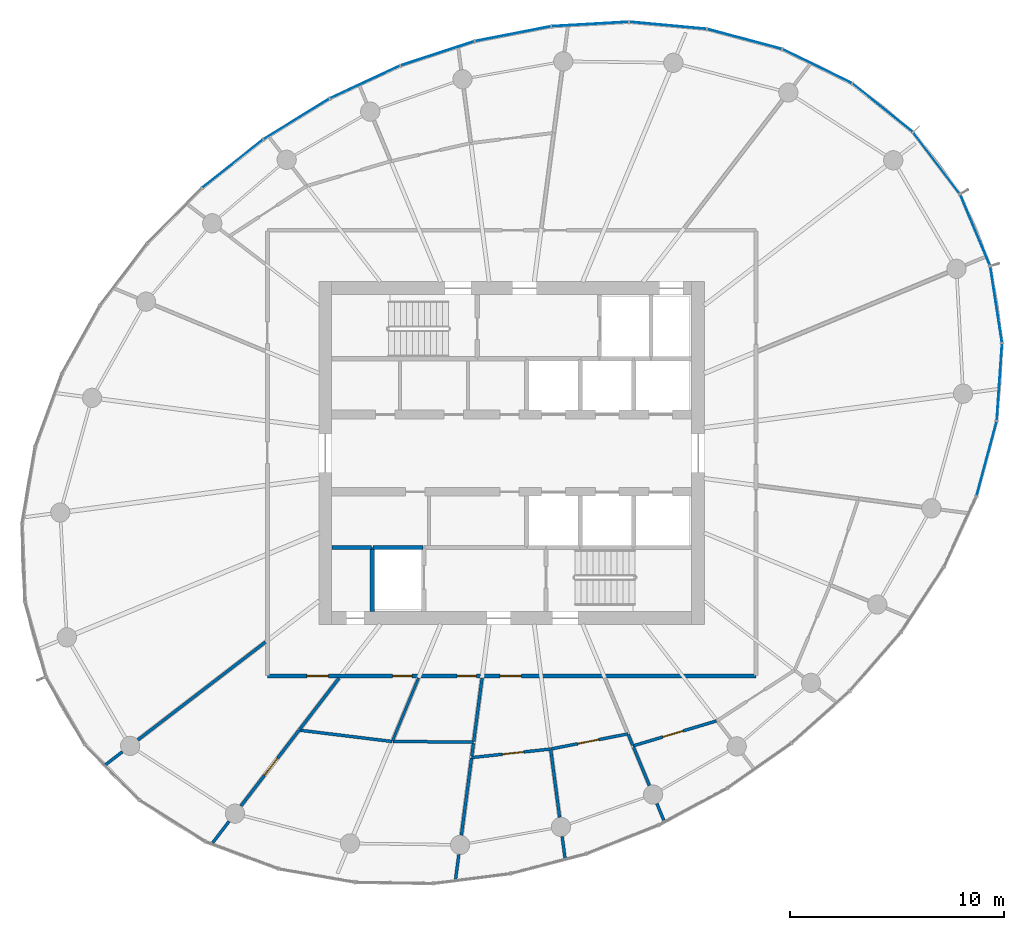
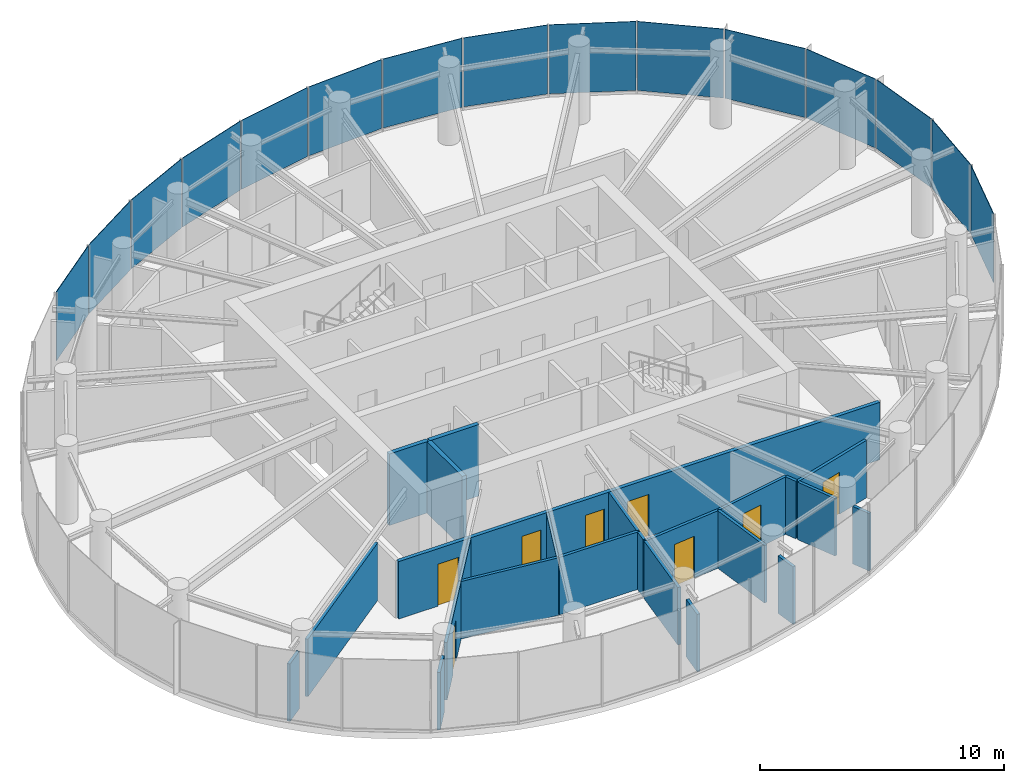
# One storey, part 9 of 14: 24 walls, 15 plates, 8 doors, 8 openings, 3 elements without a shape of their own.
"""IFC4 building model written with IfcOpenShell, lengths in metres."""

from ifc_helpers import new_model, si_unit, direction, frame, frame_2d, origin, origin_2d, place, context, subcontext, project, spatial, rectangle, extrude, source, transform, mapped, material, layer, layer_set, type_object, element, fill, aggregate, save


model = new_model("IFC4")

# Units and contexts
model_context = context("Model", 3, precision=1e-05, world=origin(), true_north=direction((0.0, 1.0)))
body_context = subcontext(model_context, "Body", "Model", "MODEL_VIEW")
ifc_project = project(units=[si_unit("LENGTHUNIT", "METRE"), si_unit("AREAUNIT", "SQUARE_METRE"), si_unit("VOLUMEUNIT", "CUBIC_METRE"), si_unit("PLANEANGLEUNIT", "RADIAN"), si_unit("MASSUNIT", "GRAM", prefix="KILO")], contexts=[model_context])

# Site, building, storey
site_placement = place(None, origin())
site = spatial("IfcSite", under=ifc_project, at=site_placement, CompositionType="ELEMENT")
building_placement = place(site_placement, origin())
building = spatial("IfcBuilding", under=site, at=building_placement, Name="Spindrift Exchange Tower", CompositionType="ELEMENT")
storey_placement = place(building_placement, frame((0.0, 0.0, 215.0)))
storey = spatial("IfcBuildingStorey", under=building, at=storey_placement, Name="L52", CompositionType="ELEMENT", Elevation=215.0)

# Curtain wall, plates
ifc_material_1 = material(Name="Fritted laminated glass with bronze frame", Category="glass")
ifc_layer_1 = layer(ifc_material_1, 0.169921875)
ifc_layer_set_1 = layer_set([ifc_layer_1], Name="ZONE 4 BRONZE FRITTED WALL")
curtain_wall_type = type_object("IfcCurtainWallType", Name="ZONE 4 BRONZE FRITTED WALL", PredefinedType="NOTDEFINED", material=ifc_layer_set_1)
curtain_wall_1_placement = place(storey_placement, origin())
curtain_wall_1 = element("IfcCurtainWall", 1, at=curtain_wall_1_placement, inside=storey, type_object=curtain_wall_type, Name="L52 Zone 4 Bronze Fritted Wall run 2", PredefinedType="NOTDEFINED")
ifc_material_2 = material(Name="Bronze fritted laminated glass, open frit", Category="glass")
ifc_layer_2 = layer(ifc_material_2, 0.030029296875)
ifc_layer_set_2 = layer_set([ifc_layer_2], Name="ZONE 4 BRONZE FRITTED WALL PANEL OPEN FRIT 600")
plate_type_1 = type_object("IfcPlateType", Name="ZONE 4 BRONZE FRITTED WALL PANEL OPEN FRIT 600", PredefinedType="CURTAIN_PANEL", material=ifc_layer_set_2)
shared_shape_1 = source(origin(), body_context, "Body", "SweptSolid", [
    extrude(rectangle(XDim=3.577392578125, YDim=0.030029296875, at=origin_2d()), origin(), (0.0, 0.0, 1.0), 3.455078125),
])
plate_1_placement = place(storey_placement, frame((52.056396484375, 67.5634765625, 0.125), z_axis=(0.0, 0.0, 1.0), x_axis=(-0.981562854025, -0.191139644234, 0.0)))
plate_1 = element("IfcPlate", 2, at=plate_1_placement, type_object=plate_type_1, Name="L52 panel CW-4.7", PredefinedType="CURTAIN_PANEL", context=body_context, shape_type="MappedRepresentation", body=[
    mapped(shared_shape_1, transform((0.0, 0.0, 0.0), scale=1.0)),
])
ifc_layer_3 = layer(ifc_material_2, 0.030029296875)
ifc_layer_set_3 = layer_set([ifc_layer_3], Name="ZONE 4 BRONZE FRITTED WALL PANEL OPEN FRIT 480")
plate_type_2 = type_object("IfcPlateType", Name="ZONE 4 BRONZE FRITTED WALL PANEL OPEN FRIT 480", PredefinedType="CURTAIN_PANEL", material=ifc_layer_set_3)
shared_shape_2 = source(origin(), body_context, "Body", "SweptSolid", [
    extrude(rectangle(XDim=3.577880859375, YDim=0.030029296875, at=origin_2d()), origin(), (0.0, 0.0, 1.0), 3.455078125),
])
plate_2_placement = place(storey_placement, frame((45.156982421875, 65.31005859375, 0.125), z_axis=(0.0, 0.0, 1.0), x_axis=(-0.906423557468, -0.422369902415, 0.0)))
plate_2 = element("IfcPlate", 3, at=plate_2_placement, type_object=plate_type_2, Name="L52 panel CW-4.9", PredefinedType="CURTAIN_PANEL", context=body_context, shape_type="MappedRepresentation", body=[
    mapped(shared_shape_2, transform((0.0, 0.0, 0.0), scale=1.0)),
])
shared_shape_3 = source(origin(), body_context, "Body", "SweptSolid", [
    extrude(rectangle(XDim=3.577880859375, YDim=0.030029296875, at=origin_2d()), origin(), (0.0, 0.0, 1.0), 3.455078125),
])
plate_3_placement = place(storey_placement, frame((41.95556640625, 63.584716796875, 0.125), z_axis=(0.0, 0.0, 1.0), x_axis=(-0.851222635484, -0.524804749254, 0.0)))
plate_3 = element("IfcPlate", 4, at=plate_3_placement, type_object=plate_type_1, Name="L52 panel CW-4.10", PredefinedType="CURTAIN_PANEL", context=body_context, shape_type="MappedRepresentation", body=[
    mapped(shared_shape_3, transform((0.0, 0.0, 0.0), scale=1.0)),
])
plate_4_placement = place(storey_placement, frame((38.97705078125, 61.498291015625, 0.125), z_axis=(0.0, 0.0, 1.0), x_axis=(-0.78399474692, -0.620767457912, 0.0)))
plate_4 = element("IfcPlate", 5, at=plate_4_placement, type_object=plate_type_1, Name="L52 panel CW-4.11", PredefinedType="CURTAIN_PANEL", context=body_context, shape_type="MappedRepresentation", body=[
    mapped(shared_shape_3, transform((0.0, 0.0, 0.0), scale=1.0)),
])

curtain_wall_2_placement = place(storey_placement, origin())
curtain_wall_2 = element("IfcCurtainWall", 6, at=curtain_wall_2_placement, inside=storey, type_object=curtain_wall_type, Name="L52 Zone 4 Bronze Fritted Wall run 1", PredefinedType="NOTDEFINED")
shared_shape_4 = source(origin(), body_context, "Body", "SweptSolid", [
    extrude(rectangle(XDim=3.5732421875, YDim=0.030029296875, at=origin_2d()), origin(), (0.0, 0.0, 1.0), 3.455078125),
])
plate_5_placement = place(storey_placement, frame((66.256103515625, 66.047119140625, 0.125), z_axis=(0.0, 0.0, 1.0), x_axis=(-0.898155766676, 0.439677403088, 0.0)))
plate_5 = element("IfcPlate", 7, at=plate_5_placement, type_object=plate_type_2, Name="L52 panel CW-4.3", PredefinedType="CURTAIN_PANEL", context=body_context, shape_type="MappedRepresentation", body=[
    mapped(shared_shape_4, transform((0.0, 0.0, 0.0), scale=1.0)),
])
shared_shape_5 = source(origin(), body_context, "Body", "SweptSolid", [
    extrude(rectangle(XDim=3.576904296875, YDim=0.030029296875, at=origin_2d()), origin(), (0.0, 0.0, 1.0), 3.455078125),
])
plate_6_placement = place(storey_placement, frame((55.662109375, 68.01611328125, 0.125), z_axis=(0.0, 0.0, 1.0), x_axis=(-0.998347237462, -0.057469935205, 0.0)))
plate_6 = element("IfcPlate", 8, at=plate_6_placement, type_object=plate_type_1, Name="L52 panel CW-4.6", PredefinedType="CURTAIN_PANEL", context=body_context, shape_type="MappedRepresentation", body=[
    mapped(shared_shape_5, transform((0.0, 0.0, 0.0), scale=1.0)),
])

# Plate
shared_shape_6 = source(origin(), body_context, "Body", "SweptSolid", [
    extrude(rectangle(XDim=3.57763671875, YDim=0.030029296875, at=origin_2d()), origin(), (0.0, 0.0, 1.0), 3.455078125),
])
plate_7_placement = place(storey_placement, frame((48.538330078125, 66.647216796875, 0.125), z_axis=(0.0, 0.0, 1.0), x_axis=(-0.950128383866, -0.311859029327, 0.0)))
plate_7 = element("IfcPlate", 9, at=plate_7_placement, type_object=plate_type_1, Name="L52 panel CW-4.8", PredefinedType="CURTAIN_PANEL", context=body_context, shape_type="MappedRepresentation", body=[
    mapped(shared_shape_6, transform((0.0, 0.0, 0.0), scale=1.0)),
])

aggregate(curtain_wall_1, [plate_1, plate_7, plate_2, plate_3, plate_4])

# Curtain wall, plate
curtain_wall_3_placement = place(storey_placement, origin())
curtain_wall_3 = element("IfcCurtainWall", 10, at=curtain_wall_3_placement, inside=storey, type_object=curtain_wall_type, Name="L52 Zone 4 Bronze Fritted Wall run 6", PredefinedType="NOTDEFINED")
shared_shape_7 = source(origin(), body_context, "Body", "SweptSolid", [
    extrude(rectangle(XDim=3.574951171875, YDim=0.030029296875, at=origin_2d()), origin(), (0.0, 0.0, 1.0), 3.455078125),
])
plate_8_placement = place(storey_placement, frame((74.160888671875, 47.7421875, 0.125), z_axis=(0.0, 0.0, 1.0), x_axis=(0.25981524967, 0.965658343328, 0.0)))
plate_8 = element("IfcPlate", 11, at=plate_8_placement, type_object=plate_type_2, Name="L52 panel CW-4.34", PredefinedType="CURTAIN_PANEL", context=body_context, shape_type="MappedRepresentation", body=[
    mapped(shared_shape_7, transform((0.0, 0.0, 0.0), scale=1.0)),
])

# Plate
shared_shape_8 = source(origin(), body_context, "Body", "SweptSolid", [
    extrude(rectangle(XDim=3.5703125, YDim=0.030029296875, at=origin_2d()), origin(), (0.0, 0.0, 1.0), 3.455078125),
])
plate_9_placement = place(storey_placement, frame((71.82568359375, 61.5234375, 0.125), z_axis=(0.0, 0.0, 1.0), x_axis=(-0.605242583214, 0.796041089055, 0.0)))
plate_9 = element("IfcPlate", 12, at=plate_9_placement, type_object=plate_type_2, Name="L52 panel CW-4.1", PredefinedType="CURTAIN_PANEL", context=body_context, shape_type="MappedRepresentation", body=[
    mapped(shared_shape_8, transform((0.0, 0.0, 0.0), scale=1.0)),
])

ifc_layer_4 = layer(ifc_material_2, 0.030029296875)
ifc_layer_set_4 = layer_set([ifc_layer_4], Name="ZONE 4 BRONZE FRITTED WALL PANEL OPEN FRIT 360")
plate_type_3 = type_object("IfcPlateType", Name="ZONE 4 BRONZE FRITTED WALL PANEL OPEN FRIT 360", PredefinedType="CURTAIN_PANEL", material=ifc_layer_set_4)
shared_shape_9 = source(origin(), body_context, "Body", "SweptSolid", [
    extrude(rectangle(XDim=3.5703125, YDim=0.030029296875, at=origin_2d()), origin(), (0.0, 0.0, 1.0), 3.455078125),
])
plate_10_placement = place(storey_placement, frame((73.628173828125, 58.400146484375, 0.125), z_axis=(0.0, 0.0, 1.0), x_axis=(-0.386442151311, 0.922313647134, 0.0)))
plate_10 = element("IfcPlate", 13, at=plate_10_placement, type_object=plate_type_3, Name="L52 panel CW-4.37", PredefinedType="CURTAIN_PANEL", context=body_context, shape_type="MappedRepresentation", body=[
    mapped(shared_shape_9, transform((0.0, 0.0, 0.0), scale=1.0)),
])

shared_shape_10 = source(origin(), body_context, "Body", "SweptSolid", [
    extrude(rectangle(XDim=3.571533203125, YDim=0.030029296875, at=origin_2d()), origin(), (0.0, 0.0, 1.0), 3.455078125),
])
plate_11_placement = place(storey_placement, frame((69.3076171875, 64.10888671875, 0.125), z_axis=(0.0, 0.0, 1.0), x_axis=(-0.779727146737, 0.626119458763, 0.0)))
plate_11 = element("IfcPlate", 14, at=plate_11_placement, type_object=plate_type_1, Name="L52 panel CW-4.2", PredefinedType="CURTAIN_PANEL", context=body_context, shape_type="MappedRepresentation", body=[
    mapped(shared_shape_10, transform((0.0, 0.0, 0.0), scale=1.0)),
])

plate_12_placement = place(storey_placement, frame((74.60693359375, 54.926513671875, 0.125), z_axis=(0.0, 0.0, 1.0), x_axis=(-0.152038859837, 0.988374516618, 0.0)))
plate_12 = element("IfcPlate", 15, at=plate_12_placement, type_object=plate_type_1, Name="L52 panel CW-4.36", PredefinedType="CURTAIN_PANEL", context=body_context, shape_type="MappedRepresentation", body=[
    mapped(shared_shape_10, transform((0.0, 0.0, 0.0), scale=1.0)),
])

shared_shape_11 = source(origin(), body_context, "Body", "SweptSolid", [
    extrude(rectangle(XDim=3.574951171875, YDim=0.030029296875, at=origin_2d()), origin(), (0.0, 0.0, 1.0), 3.455078125),
])
plate_13_placement = place(storey_placement, frame((62.864013671875, 67.31689453125, 0.125), z_axis=(0.0, 0.0, 1.0), x_axis=(-0.9661004233, 0.258166558834, 0.0)))
plate_13 = element("IfcPlate", 16, at=plate_13_placement, type_object=plate_type_1, Name="L52 panel CW-4.4", PredefinedType="CURTAIN_PANEL", context=body_context, shape_type="MappedRepresentation", body=[
    mapped(shared_shape_11, transform((0.0, 0.0, 0.0), scale=1.0)),
])

shared_shape_12 = source(origin(), body_context, "Body", "SweptSolid", [
    extrude(rectangle(XDim=3.576171875, YDim=0.030029296875, at=origin_2d()), origin(), (0.0, 0.0, 1.0), 3.455078125),
])
plate_14_placement = place(storey_placement, frame((59.29296875, 67.95361328125, 0.125), z_axis=(0.0, 0.0, 1.0), x_axis=(-0.995781258686, 0.091758840713, 0.0)))
plate_14 = element("IfcPlate", 17, at=plate_14_placement, type_object=plate_type_3, Name="L52 panel CW-4.5", PredefinedType="CURTAIN_PANEL", context=body_context, shape_type="MappedRepresentation", body=[
    mapped(shared_shape_12, transform((0.0, 0.0, 0.0), scale=1.0)),
])

aggregate(curtain_wall_2, [plate_9, plate_11, plate_5, plate_13, plate_14, plate_6])

shared_shape_13 = source(origin(), body_context, "Body", "SweptSolid", [
    extrude(rectangle(XDim=3.573486328125, YDim=0.030029296875, at=origin_2d()), origin(), (0.0, 0.0, 1.0), 3.455078125),
])
plate_15_placement = place(storey_placement, frame((74.758544921875, 51.314697265625, 0.125), z_axis=(0.0, 0.0, 1.0), x_axis=(0.068656070413, 0.997640388114, 0.0)))
plate_15 = element("IfcPlate", 18, at=plate_15_placement, type_object=plate_type_1, Name="L52 panel CW-4.35", PredefinedType="CURTAIN_PANEL", context=body_context, shape_type="MappedRepresentation", body=[
    mapped(shared_shape_13, transform((0.0, 0.0, 0.0), scale=1.0)),
])

aggregate(curtain_wall_3, [plate_8, plate_15, plate_12, plate_10])

# Wall, openings, doors
ifc_material_3 = material(Name="Fire-rated plasterboard partition", Category="gypsum")
ifc_layer_5 = layer(ifc_material_3, 0.179931640625)
ifc_layer_set_5 = layer_set([ifc_layer_5], Name="W-CORR-180")
wall_type_1 = type_object("IfcWallType", Name="W-CORR-180", PredefinedType="PARTITIONING", material=ifc_layer_set_5)
wall_1_placement = place(storey_placement, frame((63.39990234375, 37.60009765625, 0.0), z_axis=(0.0, 0.0, 1.0), x_axis=(-1.0, 0.0, 0.0)))
wall_1 = element("IfcWall", 19, at=wall_1_placement, inside=storey, type_object=wall_type_1, Name="L52 Partition wall 28", PredefinedType="PARTITIONING", context=body_context, shape_type="SweptSolid", body=[
    extrude(rectangle(XDim=22.7998046875, YDim=0.179931640625, at=frame_2d((11.39990234375, 0.0))), origin(), (0.0, 0.0, 1.0), 2.8798828125),
])
opening_1_placement = place(wall_1_placement, frame((16.050048828125, 0.0, 0.0)))
opening_1 = element("IfcOpeningElement", 20, at=opening_1_placement, cuts=wall_1, Name="Opening L52-D19", PredefinedType="OPENING", context=body_context, shape_type="SweptSolid", body=[
    extrude(rectangle(XDim=0.89990234375, YDim=2.10009765625, at=frame_2d((0.449951171875, 1.050048828125))), frame((0.0, 0.099853515625, 0.0), z_axis=(0.0, -1.0, 0.0), x_axis=(1.0, 0.0, 0.0)), (0.0, 0.0, 1.0), 0.199951171875),
])
opening_2_placement = place(wall_1_placement, frame((13.050048828125, 0.0, 0.0)))
opening_2 = element("IfcOpeningElement", 21, at=opening_2_placement, cuts=wall_1, Name="Opening L52-D20", PredefinedType="OPENING", context=body_context, shape_type="SweptSolid", body=[
    extrude(rectangle(XDim=0.89990234375, YDim=2.10009765625, at=frame_2d((0.449951171875, 1.050048828125))), frame((0.0, 0.099853515625, 0.0), z_axis=(0.0, -1.0, 0.0), x_axis=(1.0, 0.0, 0.0)), (0.0, 0.0, 1.0), 0.199951171875),
])
opening_3_placement = place(wall_1_placement, frame((10.949951171875, 0.0, 0.0)))
opening_3 = element("IfcOpeningElement", 22, at=opening_3_placement, cuts=wall_1, Name="Opening L52-D21", PredefinedType="OPENING", context=body_context, shape_type="SweptSolid", body=[
    extrude(rectangle(XDim=1.0, YDim=2.10009765625, at=frame_2d((0.5, 1.050048828125))), frame((0.0, 0.099853515625, 0.0), z_axis=(0.0, -1.0, 0.0), x_axis=(1.0, 0.0, 0.0)), (0.0, 0.0, 1.0), 0.199951171875),
])
opening_4_placement = place(wall_1_placement, frame((19.949951171875, 0.0, 0.0)))
opening_4 = element("IfcOpeningElement", 23, at=opening_4_placement, cuts=wall_1, Name="Opening L52-D40", PredefinedType="OPENING", context=body_context, shape_type="SweptSolid", body=[
    extrude(rectangle(XDim=1.0, YDim=2.10009765625, at=frame_2d((0.5, 1.050048828125))), frame((0.0, 0.099853515625, 0.0), z_axis=(0.0, -1.0, 0.0), x_axis=(1.0, 0.0, 0.0)), (0.0, 0.0, 1.0), 0.199951171875),
])
ifc_material_4 = material(Name="Timber-core fire door", Category="wood")
door_type_1 = type_object("IfcDoorType", Name="DR-ROOM-1000", OperationType="NOTDEFINED", PredefinedType="DOOR", material=ifc_material_4)
shared_shape_14 = source(origin(), body_context, "Body", "SweptSolid", [
    extrude(rectangle(XDim=1.0, YDim=2.10009765625, at=frame_2d((0.5, 1.050048828125))), frame((0.0, 0.02490234375, 0.0), z_axis=(0.0, -1.0, 0.0), x_axis=(1.0, 0.0, 0.0)), (0.0, 0.0, 1.0), 0.050048828125),
])
door_1_placement = place(opening_3_placement, origin())
door_1 = element("IfcDoor", 24, at=door_1_placement, inside=storey, type_object=door_type_1, Name="L52 Door 21", OperationType="SINGLE_SWING_RIGHT", OverallHeight=2.10009765625, OverallWidth=1.0, PredefinedType="DOOR", context=body_context, shape_type="MappedRepresentation", body=[
    mapped(shared_shape_14, transform((0.0, 0.0, 0.0), scale=1.0)),
])
fill(opening_3, door_1)
door_2_placement = place(opening_4_placement, origin())
door_2 = element("IfcDoor", 25, at=door_2_placement, inside=storey, type_object=door_type_1, Name="L52 Door 40", OperationType="SINGLE_SWING_LEFT", OverallHeight=2.10009765625, OverallWidth=1.0, PredefinedType="DOOR", context=body_context, shape_type="MappedRepresentation", body=[
    mapped(shared_shape_14, transform((0.0, 0.0, 0.0), scale=1.0)),
])
fill(opening_4, door_2)
ifc_material_5 = material(Name="Laminate washroom door", Category="wood")
door_type_2 = type_object("IfcDoorType", Name="DR-WC-900", OperationType="NOTDEFINED", PredefinedType="DOOR", material=ifc_material_5)
shared_shape_15 = source(origin(), body_context, "Body", "SweptSolid", [
    extrude(rectangle(XDim=0.89990234375, YDim=2.10009765625, at=frame_2d((0.449951171875, 1.050048828125))), frame((0.0, 0.02490234375, 0.0), z_axis=(0.0, -1.0, 0.0), x_axis=(1.0, 0.0, 0.0)), (0.0, 0.0, 1.0), 0.050048828125),
])
door_3_placement = place(opening_1_placement, origin())
door_3 = element("IfcDoor", 26, at=door_3_placement, inside=storey, type_object=door_type_2, Name="L52 WC door 19", OperationType="SINGLE_SWING_RIGHT", OverallHeight=2.10009765625, OverallWidth=0.89990234375, PredefinedType="DOOR", context=body_context, shape_type="MappedRepresentation", body=[
    mapped(shared_shape_15, transform((0.0, 0.0, 0.0), scale=1.0)),
])
fill(opening_1, door_3)
door_4_placement = place(opening_2_placement, origin())
door_4 = element("IfcDoor", 27, at=door_4_placement, inside=storey, type_object=door_type_2, Name="L52 WC door 20", OperationType="SINGLE_SWING_LEFT", OverallHeight=2.10009765625, OverallWidth=0.89990234375, PredefinedType="DOOR", context=body_context, shape_type="MappedRepresentation", body=[
    mapped(shared_shape_15, transform((0.0, 0.0, 0.0), scale=1.0)),
])
fill(opening_2, door_4)

# Wall
ifc_layer_6 = layer(ifc_material_3, 0.139892578125)
ifc_layer_set_6 = layer_set([ifc_layer_6], Name="W-PART-140")
wall_type_2 = type_object("IfcWallType", Name="W-PART-140", PredefinedType="PARTITIONING", material=ifc_layer_set_6)
wall_2_placement = place(storey_placement, frame((40.510009765625, 39.183349609375, 0.0), z_axis=(0.0, 0.0, 1.0), x_axis=(-0.793355383425, -0.608758766336, 0.0)))
element("IfcWall", 28, at=wall_2_placement, inside=storey, type_object=wall_type_2, Name="L52 Partition wall 33", PredefinedType="PARTITIONING", context=body_context, shape_type="SweptSolid", body=[
    extrude(rectangle(XDim=7.50146484375, YDim=0.139892578125, at=frame_2d((3.750732421875, 0.0))), origin(), (0.0, 0.0, 1.0), 2.8798828125),
])

# Wall, opening, door
wall_3_placement = place(storey_placement, frame((42.081787109375, 35.074462890625, 0.0), z_axis=(0.0, 0.0, 1.0), x_axis=(-0.608752257704, -0.793360377596, 0.0)))
wall_3 = element("IfcWall", 29, at=wall_3_placement, inside=storey, type_object=wall_type_2, Name="L52 Partition wall 37", PredefinedType="PARTITIONING", context=body_context, shape_type="SweptSolid", body=[
    extrude(rectangle(XDim=4.4580078125, YDim=0.139892578125, at=frame_2d((2.22900390625, 0.0))), origin(), (0.0, 0.0, 1.0), 2.8798828125),
])
opening_5_placement = place(wall_3_placement, frame((1.64990234375, 0.0, 0.0)))
opening_5 = element("IfcOpeningElement", 30, at=opening_5_placement, cuts=wall_3, Name="Opening L52-D24", PredefinedType="OPENING", context=body_context, shape_type="SweptSolid", body=[
    extrude(rectangle(XDim=1.0, YDim=2.10009765625, at=frame_2d((0.5, 1.050048828125))), frame((0.0, 0.079833984375, 0.0), z_axis=(0.0, -1.0, 0.0), x_axis=(1.0, 0.0, 0.0)), (0.0, 0.0, 1.0), 0.159912109375),
])
door_5_placement = place(opening_5_placement, origin())
door_5 = element("IfcDoor", 31, at=door_5_placement, inside=storey, type_object=door_type_1, Name="L52 Door 24", OperationType="SINGLE_SWING_LEFT", OverallHeight=2.10009765625, OverallWidth=1.0, PredefinedType="DOOR", context=body_context, shape_type="MappedRepresentation", body=[
    mapped(shared_shape_14, transform((0.0, 0.0, 0.0), scale=1.0)),
])
fill(opening_5, door_5)

# Wall
wall_4_placement = place(storey_placement, frame((42.111572265625, 35.07080078125, 0.0), z_axis=(0.0, 0.0, 1.0), x_axis=(0.992606150854, -0.121379690584, 0.0)))
element("IfcWall", 32, at=wall_4_placement, inside=storey, type_object=wall_type_2, Name="L52 Partition wall 38", PredefinedType="PARTITIONING", context=body_context, shape_type="SweptSolid", body=[
    extrude(rectangle(XDim=4.3466796875, YDim=0.139892578125, at=frame_2d((2.17333984375, 0.0))), origin(), (0.0, 0.0, 1.0), 2.8798828125),
])

# Wall, opening, door
wall_5_placement = place(storey_placement, frame((61.553955078125, 35.5029296875, 0.0), z_axis=(0.0, 0.0, 1.0), x_axis=(-0.958115036861, -0.286383617097, 0.0)))
wall_5 = element("IfcWall", 33, at=wall_5_placement, inside=storey, type_object=wall_type_2, Name="L52 Partition wall 43", PredefinedType="PARTITIONING", context=body_context, shape_type="SweptSolid", body=[
    extrude(rectangle(XDim=4.0654296875, YDim=0.139892578125, at=frame_2d((2.03271484375, 0.0))), origin(), (0.0, 0.0, 1.0), 2.8798828125),
])
opening_6_placement = place(wall_5_placement, frame((1.615478515625, 0.0, 0.0)))
opening_6 = element("IfcOpeningElement", 34, at=opening_6_placement, cuts=wall_5, Name="Opening L52-D26", PredefinedType="OPENING", context=body_context, shape_type="SweptSolid", body=[
    extrude(rectangle(XDim=1.0, YDim=2.10009765625, at=frame_2d((0.5, 1.050048828125))), frame((0.0, 0.079833984375, 0.0), z_axis=(0.0, -1.0, 0.0), x_axis=(1.0, 0.0, 0.0)), (0.0, 0.0, 1.0), 0.159912109375),
])
door_6_placement = place(opening_6_placement, origin())
door_6 = element("IfcDoor", 35, at=door_6_placement, inside=storey, type_object=door_type_1, Name="L52 Door 26", OperationType="SINGLE_SWING_LEFT", OverallHeight=2.10009765625, OverallWidth=1.0, PredefinedType="DOOR", context=body_context, shape_type="MappedRepresentation", body=[
    mapped(shared_shape_14, transform((0.0, 0.0, 0.0), scale=1.0)),
])
fill(opening_6, door_6)

# Wall
wall_6_placement = place(storey_placement, frame((46.455810546875, 34.54296875, 0.0), z_axis=(0.0, 0.0, 1.0), x_axis=(0.999979441631, -0.006412200578, 0.0)))
element("IfcWall", 36, at=wall_6_placement, inside=storey, type_object=wall_type_2, Name="L52 Partition wall 47", PredefinedType="PARTITIONING", context=body_context, shape_type="SweptSolid", body=[
    extrude(rectangle(XDim=3.769287109375, YDim=0.139892578125, at=frame_2d((1.884765625, 0.0))), origin(), (0.0, 0.0, 1.0), 2.8798828125),
])

# Wall, opening, door
wall_7_placement = place(storey_placement, frame((53.81787109375, 34.1923828125, 0.0), z_axis=(0.0, 0.0, 1.0), x_axis=(-0.994173931983, -0.107787721776, 0.0)))
wall_7 = element("IfcWall", 37, at=wall_7_placement, inside=storey, type_object=wall_type_2, Name="L52 Partition wall 48", PredefinedType="PARTITIONING", context=body_context, shape_type="SweptSolid", body=[
    extrude(rectangle(XDim=3.710205078125, YDim=0.139892578125, at=frame_2d((1.85498046875, 0.0))), origin(), (0.0, 0.0, 1.0), 2.8798828125),
])
opening_7_placement = place(wall_7_placement, frame((1.260009765625, 0.0, 0.0)))
opening_7 = element("IfcOpeningElement", 38, at=opening_7_placement, cuts=wall_7, Name="Opening L52-D22", PredefinedType="OPENING", context=body_context, shape_type="SweptSolid", body=[
    extrude(rectangle(XDim=1.0, YDim=2.10009765625, at=frame_2d((0.5, 1.050048828125))), frame((0.0, 0.079833984375, 0.0), z_axis=(0.0, -1.0, 0.0), x_axis=(1.0, 0.0, 0.0)), (0.0, 0.0, 1.0), 0.159912109375),
])
door_7_placement = place(opening_7_placement, origin())
door_7 = element("IfcDoor", 39, at=door_7_placement, inside=storey, type_object=door_type_1, Name="L52 Door 22", OperationType="SINGLE_SWING_LEFT", OverallHeight=2.10009765625, OverallWidth=1.0, PredefinedType="DOOR", context=body_context, shape_type="MappedRepresentation", body=[
    mapped(shared_shape_14, transform((0.0, 0.0, 0.0), scale=1.0)),
])
fill(opening_7, door_7)

wall_8_placement = place(storey_placement, frame((57.42626953125, 34.89990234375, 0.0), z_axis=(0.0, 0.0, 1.0), x_axis=(-0.981307553522, -0.192446058416, 0.0)))
wall_8 = element("IfcWall", 40, at=wall_8_placement, inside=storey, type_object=wall_type_2, Name="L52 Partition wall 49", PredefinedType="PARTITIONING", context=body_context, shape_type="SweptSolid", body=[
    extrude(rectangle(XDim=3.647216796875, YDim=0.139892578125, at=frame_2d((1.82373046875, 0.0))), origin(), (0.0, 0.0, 1.0), 2.8798828125),
])
opening_8_placement = place(wall_8_placement, frame((1.397216796875, 0.0, 0.0)))
opening_8 = element("IfcOpeningElement", 41, at=opening_8_placement, cuts=wall_8, Name="Opening L52-D23", PredefinedType="OPENING", context=body_context, shape_type="SweptSolid", body=[
    extrude(rectangle(XDim=1.0, YDim=2.10009765625, at=frame_2d((0.5, 1.050048828125))), frame((0.0, 0.079833984375, 0.0), z_axis=(0.0, -1.0, 0.0), x_axis=(1.0, 0.0, 0.0)), (0.0, 0.0, 1.0), 0.159912109375),
])
door_8_placement = place(opening_8_placement, origin())
door_8 = element("IfcDoor", 42, at=door_8_placement, inside=storey, type_object=door_type_1, Name="L52 Door 23", OperationType="SINGLE_SWING_RIGHT", OverallHeight=2.10009765625, OverallWidth=1.0, PredefinedType="DOOR", context=body_context, shape_type="MappedRepresentation", body=[
    mapped(shared_shape_14, transform((0.0, 0.0, 0.0), scale=1.0)),
])
fill(opening_8, door_8)

# Walls
wall_9_placement = place(storey_placement, frame((50.12548828125, 33.7626953125, 0.0), z_axis=(0.0, 0.0, 1.0), x_axis=(-0.130520782699, -0.991445573536, 0.0)))
element("IfcWall", 43, at=wall_9_placement, inside=storey, type_object=wall_type_2, Name="L52 Partition wall 50", PredefinedType="PARTITIONING", context=body_context, shape_type="SweptSolid", body=[
    extrude(rectangle(XDim=3.621337890625, YDim=0.139892578125, at=frame_2d((1.810546875, 0.0))), origin(), (0.0, 0.0, 1.0), 2.8798828125),
])
wall_10_placement = place(storey_placement, frame((53.82177734375, 34.16259765625, 0.0), z_axis=(0.0, 0.0, 1.0), x_axis=(0.130520013378, -0.991445674814, 0.0)))
element("IfcWall", 44, at=wall_10_placement, inside=storey, type_object=wall_type_2, Name="L52 Partition wall 51", PredefinedType="PARTITIONING", context=body_context, shape_type="SweptSolid", body=[
    extrude(rectangle(XDim=3.181640625, YDim=0.139892578125, at=frame_2d((1.5908203125, 0.0))), origin(), (0.0, 0.0, 1.0), 2.8798828125),
])
wall_11_placement = place(storey_placement, frame((43.95068359375, 37.510009765625, 0.0), z_axis=(0.0, 0.0, 1.0), x_axis=(-0.608716498744, -0.793387814475, 0.0)))
element("IfcWall", 45, at=wall_11_placement, inside=storey, type_object=wall_type_2, Name="L52 Partition wall 52", PredefinedType="PARTITIONING", context=body_context, shape_type="SweptSolid", body=[
    extrude(rectangle(XDim=3.039306640625, YDim=0.139892578125, at=frame_2d((1.51953125, 0.0))), origin(), (0.0, 0.0, 1.0), 2.8798828125),
])
wall_12_placement = place(storey_placement, frame((50.618896484375, 37.510009765625, 0.0), z_axis=(0.0, 0.0, 1.0), x_axis=(-0.130520050683, -0.991445669903, 0.0)))
element("IfcWall", 46, at=wall_12_placement, inside=storey, type_object=wall_type_2, Name="L52 Partition wall 53", PredefinedType="PARTITIONING", context=body_context, shape_type="SweptSolid", body=[
    extrude(rectangle(XDim=2.9873046875, YDim=0.139892578125, at=frame_2d((1.49365234375, 0.0))), origin(), (0.0, 0.0, 1.0), 2.8798828125),
])
wall_13_placement = place(storey_placement, frame((57.685791015625, 34.273681640625, 0.0), z_axis=(0.0, 0.0, 1.0), x_axis=(0.382586213673, -0.92391979582, 0.0)))
element("IfcWall", 47, at=wall_13_placement, inside=storey, type_object=wall_type_2, Name="L52 Partition wall 63", PredefinedType="PARTITIONING", context=body_context, shape_type="SweptSolid", body=[
    extrude(rectangle(XDim=1.931640625, YDim=0.139892578125, at=frame_2d((0.9658203125, 0.0))), origin(), (0.0, 0.0, 1.0), 2.8798828125),
])
wall_14_placement = place(storey_placement, frame((38.814453125, 30.81640625, 0.0), z_axis=(0.0, 0.0, 1.0), x_axis=(-0.608673156435, -0.793421066417, 0.0)))
element("IfcWall", 48, at=wall_14_placement, inside=storey, type_object=wall_type_2, Name="L52 Partition wall 66", PredefinedType="PARTITIONING", context=body_context, shape_type="SweptSolid", body=[
    extrude(rectangle(XDim=1.25146484375, YDim=0.139892578125, at=frame_2d((0.625732421875, 0.0))), origin(), (0.0, 0.0, 1.0), 2.8798828125),
])
wall_15_placement = place(storey_placement, frame((49.5341796875, 29.27099609375, 0.0), z_axis=(0.0, 0.0, 1.0), x_axis=(-0.130562588112, -0.991440069084, 0.0)))
element("IfcWall", 49, at=wall_15_placement, inside=storey, type_object=wall_type_2, Name="L52 Partition wall 69", PredefinedType="PARTITIONING", context=body_context, shape_type="SweptSolid", body=[
    extrude(rectangle(XDim=1.168701171875, YDim=0.139892578125, at=frame_2d((0.58447265625, 0.0))), origin(), (0.0, 0.0, 1.0), 2.8798828125),
])
wall_16_placement = place(storey_placement, frame((33.83740234375, 34.063232421875, 0.0), z_axis=(0.0, 0.0, 1.0), x_axis=(-0.793366099044, -0.608744801117, 0.0)))
element("IfcWall", 50, at=wall_16_placement, inside=storey, type_object=wall_type_2, Name="L52 Partition wall 74", PredefinedType="PARTITIONING", context=body_context, shape_type="SweptSolid", body=[
    extrude(rectangle(XDim=1.01416015625, YDim=0.139892578125, at=frame_2d((0.507080078125, 0.0))), origin(), (0.0, 0.0, 1.0), 2.8798828125),
])
wall_17_placement = place(storey_placement, frame((54.355712890625, 30.10693359375, 0.0), z_axis=(0.0, 0.0, 1.0), x_axis=(0.130416888508, -0.991459245351, 0.0)))
element("IfcWall", 51, at=wall_17_placement, inside=storey, type_object=wall_type_2, Name="L52 Partition wall 76", PredefinedType="PARTITIONING", context=body_context, shape_type="SweptSolid", body=[
    extrude(rectangle(XDim=1.007080078125, YDim=0.139892578125, at=frame_2d((0.50341796875, 0.0))), origin(), (0.0, 0.0, 1.0), 2.8798828125),
])
wall_18_placement = place(storey_placement, frame((58.773193359375, 31.648193359375, 0.0), z_axis=(0.0, 0.0, 1.0), x_axis=(0.382488701461, -0.923960168651, 0.0)))
element("IfcWall", 52, at=wall_18_placement, inside=storey, type_object=wall_type_2, Name="L52 Partition wall 81", PredefinedType="PARTITIONING", context=body_context, shape_type="SweptSolid", body=[
    extrude(rectangle(XDim=0.840087890625, YDim=0.139892578125, at=frame_2d((0.419921875, 0.0))), origin(), (0.0, 0.0, 1.0), 2.8798828125),
])
wall_19_placement = place(storey_placement, frame((50.2158203125, 34.44873046875, 0.0), z_axis=(0.0, 0.0, 1.0), x_axis=(-0.130400969459, -0.991461339218, 0.0)))
element("IfcWall", 53, at=wall_19_placement, inside=storey, type_object=wall_type_2, Name="L52 Partition wall 84", PredefinedType="PARTITIONING", context=body_context, shape_type="SweptSolid", body=[
    extrude(rectangle(XDim=0.58984375, YDim=0.139892578125, at=frame_2d((0.294921875, 0.0))), origin(), (0.0, 0.0, 1.0), 2.8798828125),
])
wall_20_placement = place(storey_placement, frame((57.437744140625, 34.872314453125, 0.0), z_axis=(0.0, 0.0, 1.0), x_axis=(0.382430528233, -0.923984248283, 0.0)))
element("IfcWall", 54, at=wall_20_placement, inside=storey, type_object=wall_type_2, Name="L52 Partition wall 85", PredefinedType="PARTITIONING", context=body_context, shape_type="SweptSolid", body=[
    extrude(rectangle(XDim=0.5478515625, YDim=0.139892578125, at=frame_2d((0.27392578125, 0.0))), origin(), (0.0, 0.0, 1.0), 2.8798828125),
])
ifc_material_6 = material(Name="Concrete 40 MPa", Category="concrete")
ifc_layer_7 = layer(ifc_material_6, 0.199951171875)
ifc_layer_set_7 = layer_set([ifc_layer_7], Name="W-SHAFT-200")
wall_type_3 = type_object("IfcWallType", Name="W-SHAFT-200", PredefinedType="SOLIDWALL", material=ifc_layer_set_7)
wall_21_placement = place(storey_placement, frame((45.5, 43.60009765625, 0.0), z_axis=(0.0, 0.0, 1.0), x_axis=(0.0, -1.0, 0.0)))
element("IfcWall", 55, at=wall_21_placement, inside=storey, type_object=wall_type_3, Name="L52 Shaft wall 3", PredefinedType="SOLIDWALL", context=body_context, shape_type="SweptSolid", body=[
    extrude(rectangle(XDim=2.97998046875, YDim=0.199951171875, at=frame_2d((1.489990234375, 0.0))), origin(), (0.0, 0.0, 1.0), 3.580078125),
])
wall_22_placement = place(storey_placement, frame((47.8701171875, 43.60009765625, 0.0), z_axis=(0.0, 0.0, 1.0), x_axis=(-1.0, 0.0, 0.0)))
element("IfcWall", 56, at=wall_22_placement, inside=storey, type_object=wall_type_3, Name="L52 Shaft wall 12", PredefinedType="SOLIDWALL", context=body_context, shape_type="SweptSolid", body=[
    extrude(rectangle(XDim=2.340087890625, YDim=0.199951171875, at=frame_2d((1.169921875, 0.0))), origin(), (0.0, 0.0, 1.0), 3.580078125),
])
wall_23_placement = place(storey_placement, frame((45.469970703125, 43.60009765625, 0.0), z_axis=(0.0, 0.0, 1.0), x_axis=(-1.0, 0.0, 0.0)))
element("IfcWall", 57, at=wall_23_placement, inside=storey, type_object=wall_type_3, Name="L52 Shaft wall 20", PredefinedType="SOLIDWALL", context=body_context, shape_type="SweptSolid", body=[
    extrude(rectangle(XDim=1.849853515625, YDim=0.199951171875, at=frame_2d((0.9248046875, 0.0))), origin(), (0.0, 0.0, 1.0), 3.580078125),
])
ifc_layer_8 = layer(ifc_material_3, 0.1201171875)
ifc_layer_set_8 = layer_set([ifc_layer_8], Name="W-WET-120")
wall_type_4 = type_object("IfcWallType", Name="W-WET-120", PredefinedType="PARTITIONING", material=ifc_layer_set_8)
wall_24_placement = place(storey_placement, frame((47.65478515625, 37.510009765625, 0.0), z_axis=(0.0, 0.0, 1.0), x_axis=(-0.382636460762, -0.923898987387, 0.0)))
element("IfcWall", 58, at=wall_24_placement, inside=storey, type_object=wall_type_4, Name="L52 Partition wall 88", PredefinedType="PARTITIONING", context=body_context, shape_type="SweptSolid", body=[
    extrude(rectangle(XDim=3.181396484375, YDim=0.1201171875, at=frame_2d((1.5908203125, 0.0))), origin(), (0.0, 0.0, 1.0), 2.8798828125),
])

save(model, "model.ifc")
